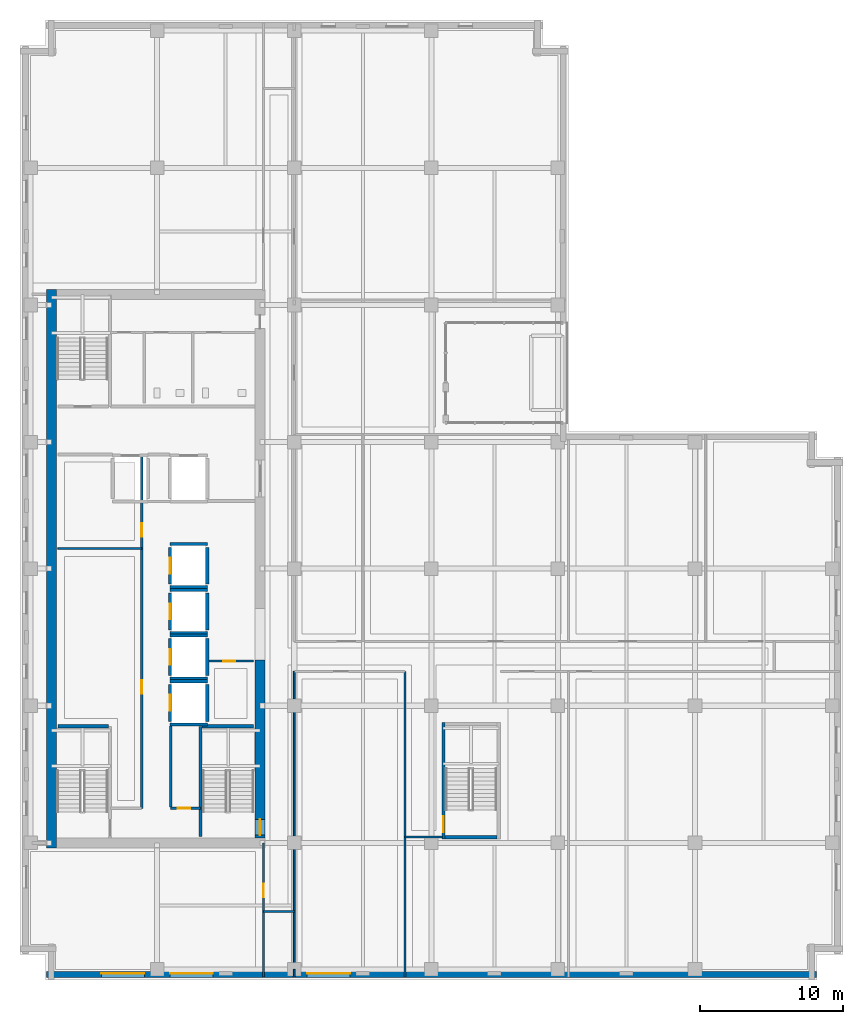
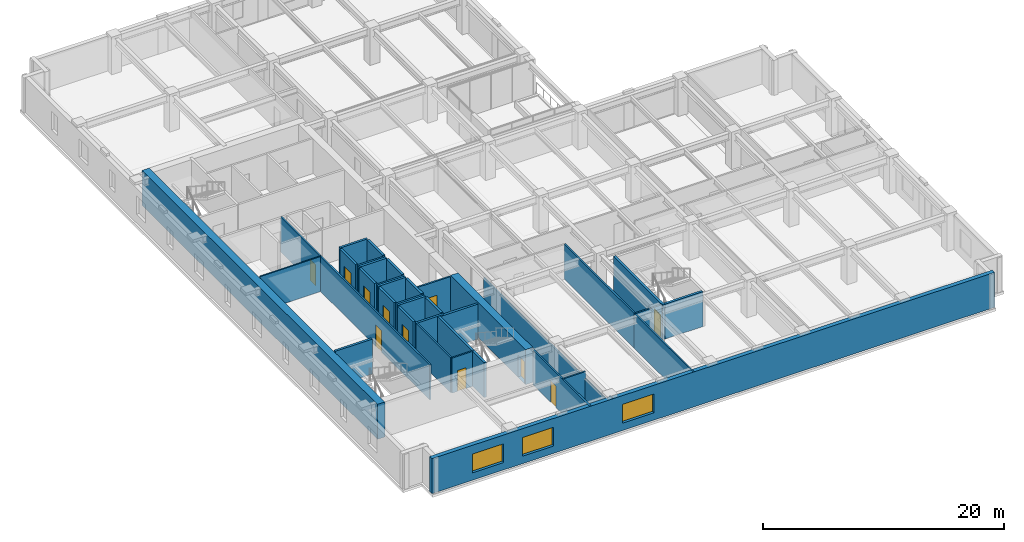
# One storey, part 4 of 16: 36 walls, 11 doors, 3 windows, 14 openings.
"""IFC4 building model written with IfcOpenShell, lengths in metres."""

from ifc_helpers import new_model, si_unit, direction, frame, frame_2d, origin, place, context, subcontext, project, spatial, rectangle, extrude, material, layer, layer_set, type_object, element, fill, save


model = new_model("IFC4")

# Units and contexts
model_context = context("Model", 3, precision=1e-05, world=origin(), true_north=direction((0.0, 1.0)))
body_context = subcontext(model_context, "Body", "Model", "MODEL_VIEW")
ifc_project = project(units=[si_unit("LENGTHUNIT", "METRE"), si_unit("AREAUNIT", "SQUARE_METRE"), si_unit("VOLUMEUNIT", "CUBIC_METRE"), si_unit("PLANEANGLEUNIT", "RADIAN"), si_unit("MASSUNIT", "GRAM", prefix="KILO")], contexts=[model_context])

# Site, building, storey
site_placement = place(None, origin())
site = spatial("IfcSite", under=ifc_project, at=site_placement, CompositionType="ELEMENT")
building_placement = place(site_placement, origin())
building = spatial("IfcBuilding", under=site, at=building_placement, Name="Norrvale University Quadrangle", CompositionType="ELEMENT")
storey_placement = place(building_placement, frame((0.0, 0.0, 167.39990234375)))
storey = spatial("IfcBuildingStorey", under=building, at=storey_placement, Name="L42", CompositionType="ELEMENT", Elevation=167.39990234375)

# Wall
ifc_material_1 = material(Name="Concrete C60/75", Category="concrete")
ifc_layer_1 = layer(ifc_material_1, 0.699951171875, Name="Concrete C60/75")
ifc_layer_set_1 = layer_set([ifc_layer_1], Name="Concrete C60/75")
wall_type_1 = type_object("IfcWallType", Name="Wall Core 700", PredefinedType="SHEAR", material=ifc_layer_set_1)
wall_1_placement = place(storey_placement, frame((2.199951171875, 9.25, 0.0), z_axis=(0.0, 0.0, 1.0), x_axis=(0.0, 1.0, 0.0)))
element("IfcWall", 1, at=wall_1_placement, inside=storey, type_object=wall_type_1, Name="Tower Core Shear Wall L42-W", PredefinedType="SHEAR", context=body_context, shape_type="SweptSolid", body=[
    extrude(rectangle(XDim=39.10009765625, YDim=0.699951171875, at=frame_2d((19.550048828125, 0.0))), origin(), (0.0, 0.0, 1.0), 3.5400390625),
])

# Wall, opening, door
wall_2_placement = place(storey_placement, frame((16.800048828125, 9.949951171875, 0.0), z_axis=(0.0, 0.0, 1.0), x_axis=(0.0, 1.0, 0.0)))
wall_2 = element("IfcWall", 2, at=wall_2_placement, inside=storey, type_object=wall_type_1, Name="Tower Core Shear Wall L42-E1", PredefinedType="SHEAR", context=body_context, shape_type="SweptSolid", body=[
    extrude(rectangle(XDim=12.449951171875, YDim=0.699951171875, at=frame_2d((6.22509765625, 0.0))), origin(), (0.0, 0.0, 1.0), 3.5400390625),
])
opening_1_placement = place(wall_2_placement, frame((0.18994140625, 0.0, 0.0)))
opening_1 = element("IfcOpeningElement", 3, at=opening_1_placement, cuts=wall_2, Name="Opening D02", PredefinedType="OPENING", context=body_context, shape_type="SweptSolid", body=[
    extrude(rectangle(XDim=1.10009765625, YDim=2.199951171875, at=frame_2d((0.550048828125, 1.10009765625))), frame((0.0, 0.362060546875, 0.0), z_axis=(0.0, -1.0, 0.0), x_axis=(1.0, 0.0, 0.0)), (0.0, 0.0, 1.0), 0.723876953125),
])
ifc_material_2 = material(Name="Hollow Steel 350W Fire Door", Category="steel")
door_type_1 = type_object("IfcDoorType", Name="Door Stair Exit 1100x2200", OperationType="NOTDEFINED", PredefinedType="DOOR", material=ifc_material_2)
door_1_placement = place(opening_1_placement, origin())
door_1 = element("IfcDoor", 4, at=door_1_placement, inside=storey, type_object=door_type_1, Name="Door Stair Exit 1100x2200 DR-L42-ST03", OperationType="SINGLE_SWING_LEFT", OverallHeight=2.199951171875, OverallWidth=1.10009765625, PredefinedType="DOOR", context=body_context, shape_type="SweptSolid", body=[
    extrude(rectangle(XDim=1.10009765625, YDim=2.199951171875, at=frame_2d((0.550048828125, 1.10009765625))), frame((0.0, 0.02490234375, 0.0), z_axis=(0.0, -1.0, 0.0), x_axis=(1.0, 0.0, 0.0)), (0.0, 0.0, 1.0), 0.050048828125),
])
fill(opening_1, door_1)

# Walls
ifc_material_3 = material(Name="Standard Academic Gypsum Partition")
ifc_layer_2 = layer(ifc_material_3, 0.125, Name="Standard Academic Gypsum Partition")
ifc_layer_set_2 = layer_set([ifc_layer_2], Name="Standard Academic Gypsum Partition")
wall_type_2 = type_object("IfcWallType", Name="Wall Gypsum Academic 125", PredefinedType="PARTITIONING", material=ifc_layer_set_2)
wall_3_placement = place(storey_placement, frame((2.64990234375, 30.199951171875, 0.0), z_axis=(0.0, 0.0, 1.0), x_axis=(1.0, 0.0, 0.0)))
element("IfcWall", 5, at=wall_3_placement, inside=storey, type_object=wall_type_2, Name="Interior Partition WL-L42-REC-M", PredefinedType="PARTITIONING", context=body_context, shape_type="SweptSolid", body=[
    extrude(rectangle(XDim=5.8701171875, YDim=0.125, at=frame_2d((2.93505859375, 0.0))), origin(), (0.0, 0.0, 1.0), 3.5400390625),
])
wall_4_placement = place(storey_placement, frame((19.199951171875, 0.219970703125, 0.0), z_axis=(0.0, 0.0, 1.0), x_axis=(0.0, 1.0, 0.0)))
element("IfcWall", 6, at=wall_4_placement, inside=storey, type_object=wall_type_2, Name="Interior Partition WL-L42-SE-W0", PredefinedType="PARTITIONING", context=body_context, shape_type="SweptSolid", body=[
    extrude(rectangle(XDim=0.530029296875, YDim=0.125, at=frame_2d((0.26513671875, 0.0))), origin(), (0.0, 0.0, 1.0), 3.5400390625),
])
wall_5_placement = place(storey_placement, frame((19.199951171875, 0.75, 0.0), z_axis=(0.0, 0.0, 1.0), x_axis=(0.0, 1.0, 0.0)))
element("IfcWall", 7, at=wall_5_placement, inside=storey, type_object=wall_type_2, Name="Interior Partition WL-L42-SE-W0-B2", PredefinedType="PARTITIONING", context=body_context, shape_type="SweptSolid", body=[
    extrude(rectangle(XDim=20.85009765625, YDim=0.125, at=frame_2d((10.425048828125, 0.0))), origin(), (0.0, 0.0, 1.0), 2.84521484375),
])
wall_6_placement = place(storey_placement, frame((26.949951171875, 0.219970703125, 0.0), z_axis=(0.0, 0.0, 1.0), x_axis=(0.0, 1.0, 0.0)))
element("IfcWall", 8, at=wall_6_placement, inside=storey, type_object=wall_type_2, Name="Interior Partition WL-L42-SEP1A", PredefinedType="PARTITIONING", context=body_context, shape_type="SweptSolid", body=[
    extrude(rectangle(XDim=9.780029296875, YDim=0.125, at=frame_2d((4.89013671875, 0.0))), origin(), (0.0, 0.0, 1.0), 3.5400390625),
])

# Wall, opening, door
ifc_material_4 = material(Name="Fire-Rated Gypsum Stud Partition")
ifc_layer_3 = layer(ifc_material_4, 0.14990234375, Name="Fire-Rated Gypsum Stud Partition")
ifc_layer_set_3 = layer_set([ifc_layer_3], Name="Fire-Rated Gypsum Stud Partition")
wall_type_3 = type_object("IfcWallType", Name="Wall Gypsum Corridor 150", PredefinedType="PARTITIONING", material=ifc_layer_set_3)
wall_7_placement = place(storey_placement, frame((10.550048828125, 12.02001953125, 0.0), z_axis=(0.0, 0.0, 1.0), x_axis=(1.0, 0.0, 0.0)))
wall_7 = element("IfcWall", 9, at=wall_7_placement, inside=storey, type_object=wall_type_3, Name="Interior Partition WL-L42-SC-NR", PredefinedType="PARTITIONING", context=body_context, shape_type="SweptSolid", body=[
    extrude(rectangle(XDim=2.079833984375, YDim=0.14990234375, at=frame_2d((1.0400390625, 0.0))), origin(), (0.0, 0.0, 1.0), 3.5400390625),
])
opening_2_placement = place(wall_7_placement, frame((0.5, 0.0, 0.0)))
opening_2 = element("IfcOpeningElement", 10, at=opening_2_placement, cuts=wall_7, Name="Opening D10", PredefinedType="OPENING", context=body_context, shape_type="SweptSolid", body=[
    extrude(rectangle(XDim=0.85009765625, YDim=2.10009765625, at=frame_2d((0.425048828125, 1.050048828125))), frame((0.0, 0.0869140625, 0.0), z_axis=(0.0, -1.0, 0.0), x_axis=(1.0, 0.0, 0.0)), (0.0, 0.0, 1.0), 0.173828125),
])
ifc_material_5 = material(Name="Hollow Steel 350W Riser Fire Door", Category="steel")
door_type_2 = type_object("IfcDoorType", Name="Door Riser 850x2100", OperationType="NOTDEFINED", PredefinedType="DOOR", material=ifc_material_5)
door_2_placement = place(opening_2_placement, origin())
door_2 = element("IfcDoor", 11, at=door_2_placement, inside=storey, type_object=door_type_2, Name="Door Riser 850x2100 DR-L42-IDF", OperationType="SINGLE_SWING_RIGHT", OverallHeight=2.10009765625, OverallWidth=0.85009765625, PredefinedType="DOOR", context=body_context, shape_type="SweptSolid", body=[
    extrude(rectangle(XDim=0.85009765625, YDim=2.10009765625, at=frame_2d((0.425048828125, 1.050048828125))), frame((0.0, 0.02490234375, 0.0), z_axis=(0.0, -1.0, 0.0), x_axis=(1.0, 0.0, 0.0)), (0.0, 0.0, 1.0), 0.050048828125),
])
fill(opening_2, door_2)

# Wall
wall_8_placement = place(storey_placement, frame((10.550048828125, 12.094970703125, 0.0), z_axis=(0.0, 0.0, 1.0), x_axis=(0.0, 1.0, 0.0)))
element("IfcWall", 12, at=wall_8_placement, inside=storey, type_object=wall_type_3, Name="Interior Partition WL-L42-SC-WR", PredefinedType="PARTITIONING", context=body_context, shape_type="SweptSolid", body=[
    extrude(rectangle(XDim=5.679931640625, YDim=0.14990234375, at=frame_2d((2.83984375, 0.0))), origin(), (0.0, 0.0, 1.0), 3.5400390625),
])

# Wall, opening, door
wall_9_placement = place(storey_placement, frame((13.22509765625, 22.320068359375, 0.0), z_axis=(0.0, 0.0, 1.0), x_axis=(1.0, 0.0, 0.0)))
wall_9 = element("IfcWall", 13, at=wall_9_placement, inside=storey, type_object=wall_type_3, Name="Interior Partition WL-L42-JAN-N", PredefinedType="PARTITIONING", context=body_context, shape_type="SweptSolid", body=[
    extrude(rectangle(XDim=3.119873046875, YDim=0.14990234375, at=frame_2d((1.56005859375, 0.0))), origin(), (0.0, 0.0, 1.0), 3.5400390625),
])
opening_3_placement = place(wall_9_placement, frame((1.0, 0.0, 0.0)))
opening_3 = element("IfcOpeningElement", 14, at=opening_3_placement, cuts=wall_9, Name="Opening D10", PredefinedType="OPENING", context=body_context, shape_type="SweptSolid", body=[
    extrude(rectangle(XDim=0.85009765625, YDim=2.10009765625, at=frame_2d((0.425048828125, 1.050048828125))), frame((0.0, 0.0869140625, 0.0), z_axis=(0.0, -1.0, 0.0), x_axis=(1.0, 0.0, 0.0)), (0.0, 0.0, 1.0), 0.173828125),
])
door_3_placement = place(opening_3_placement, origin())
door_3 = element("IfcDoor", 15, at=door_3_placement, inside=storey, type_object=door_type_2, Name="Door Riser 850x2100 DR-L42-JAN", OperationType="SINGLE_SWING_LEFT", OverallHeight=2.10009765625, OverallWidth=0.85009765625, PredefinedType="DOOR", context=body_context, shape_type="SweptSolid", body=[
    extrude(rectangle(XDim=0.85009765625, YDim=2.10009765625, at=frame_2d((0.425048828125, 1.050048828125))), frame((0.0, 0.02490234375, 0.0), z_axis=(0.0, -1.0, 0.0), x_axis=(1.0, 0.0, 0.0)), (0.0, 0.0, 1.0), 0.050048828125),
])
fill(opening_3, door_3)

# Wall, openings, doors
wall_10_placement = place(storey_placement, frame((8.52001953125, 12.02001953125, 0.0), z_axis=(0.0, 0.0, 1.0), x_axis=(0.0, 1.0, 0.0)))
wall_10 = element("IfcWall", 16, at=wall_10_placement, inside=storey, type_object=wall_type_3, Name="Interior Partition WL-L42-REC-E", PredefinedType="PARTITIONING", context=body_context, shape_type="SweptSolid", body=[
    extrude(rectangle(XDim=24.760009765625, YDim=0.14990234375, at=frame_2d((12.3798828125, 0.0))), origin(), (0.0, 0.0, 1.0), 3.5400390625),
])
opening_4_placement = place(wall_10_placement, frame((8.0, 0.0, 0.0)))
opening_4 = element("IfcOpeningElement", 17, at=opening_4_placement, cuts=wall_10, Name="Opening D07", PredefinedType="OPENING", context=body_context, shape_type="SweptSolid", body=[
    extrude(rectangle(XDim=0.949951171875, YDim=2.14990234375, at=frame_2d((0.47509765625, 1.074951171875))), frame((0.0, 0.0869140625, 0.0), z_axis=(0.0, -1.0, 0.0), x_axis=(1.0, 0.0, 0.0)), (0.0, 0.0, 1.0), 0.173828125),
])
opening_5_placement = place(wall_10_placement, frame((19.0, 0.0, 0.0)))
opening_5 = element("IfcOpeningElement", 18, at=opening_5_placement, cuts=wall_10, Name="Opening D07", PredefinedType="OPENING", context=body_context, shape_type="SweptSolid", body=[
    extrude(rectangle(XDim=0.949951171875, YDim=2.14990234375, at=frame_2d((0.47509765625, 1.074951171875))), frame((0.0, 0.0869140625, 0.0), z_axis=(0.0, -1.0, 0.0), x_axis=(1.0, 0.0, 0.0)), (0.0, 0.0, 1.0), 0.173828125),
])
ifc_material_6 = material(Name="Solid-Core Maple Door", Category="wood")
door_type_3 = type_object("IfcDoorType", Name="Door Office 950x2150", OperationType="NOTDEFINED", PredefinedType="DOOR", material=ifc_material_6)
door_4_placement = place(opening_4_placement, origin())
door_4 = element("IfcDoor", 19, at=door_4_placement, inside=storey, type_object=door_type_3, Name="Door Office 950x2150 DR-L42-REC1", OperationType="SINGLE_SWING_LEFT", OverallHeight=2.14990234375, OverallWidth=0.949951171875, PredefinedType="DOOR", context=body_context, shape_type="SweptSolid", body=[
    extrude(rectangle(XDim=0.949951171875, YDim=2.14990234375, at=frame_2d((0.47509765625, 1.074951171875))), frame((0.0, 0.02490234375, 0.0), z_axis=(0.0, -1.0, 0.0), x_axis=(1.0, 0.0, 0.0)), (0.0, 0.0, 1.0), 0.050048828125),
])
fill(opening_4, door_4)
door_5_placement = place(opening_5_placement, origin())
door_5 = element("IfcDoor", 20, at=door_5_placement, inside=storey, type_object=door_type_3, Name="Door Office 950x2150 DR-L42-REC2", OperationType="SINGLE_SWING_RIGHT", OverallHeight=2.14990234375, OverallWidth=0.949951171875, PredefinedType="DOOR", context=body_context, shape_type="SweptSolid", body=[
    extrude(rectangle(XDim=0.949951171875, YDim=2.14990234375, at=frame_2d((0.47509765625, 1.074951171875))), frame((0.0, 0.02490234375, 0.0), z_axis=(0.0, -1.0, 0.0), x_axis=(1.0, 0.0, 0.0)), (0.0, 0.0, 1.0), 0.050048828125),
])
fill(opening_5, door_5)

# Wall
wall_11_placement = place(storey_placement, frame((17.050048828125, 4.800048828125, 0.0), z_axis=(0.0, 0.0, 1.0), x_axis=(1.0, 0.0, 0.0)))
element("IfcWall", 21, at=wall_11_placement, inside=storey, type_object=wall_type_3, Name="Interior Partition WL-L42-CSP-S", PredefinedType="PARTITIONING", context=body_context, shape_type="SweptSolid", body=[
    extrude(rectangle(XDim=2.14990234375, YDim=0.14990234375, at=frame_2d((1.074951171875, 0.0))), origin(), (0.0, 0.0, 1.0), 3.5400390625),
])

# Wall, opening, door
wall_12_placement = place(storey_placement, frame((17.050048828125, 0.219970703125, 0.0), z_axis=(0.0, 0.0, 1.0), x_axis=(0.0, 1.0, 0.0)))
wall_12 = element("IfcWall", 22, at=wall_12_placement, inside=storey, type_object=wall_type_3, Name="Interior Partition WL-L42-SW-E", PredefinedType="PARTITIONING", context=body_context, shape_type="SweptSolid", body=[
    extrude(rectangle(XDim=9.380126953125, YDim=0.14990234375, at=frame_2d((4.68994140625, 0.0))), origin(), (0.0, 0.0, 1.0), 3.5400390625),
])
opening_6_placement = place(wall_12_placement, frame((5.580078125, 0.0, 0.0)))
opening_6 = element("IfcOpeningElement", 23, at=opening_6_placement, cuts=wall_12, Name="Opening D07", PredefinedType="OPENING", context=body_context, shape_type="SweptSolid", body=[
    extrude(rectangle(XDim=0.949951171875, YDim=2.14990234375, at=frame_2d((0.47509765625, 1.074951171875))), frame((0.0, 0.0869140625, 0.0), z_axis=(0.0, -1.0, 0.0), x_axis=(1.0, 0.0, 0.0)), (0.0, 0.0, 1.0), 0.173828125),
])
door_6_placement = place(opening_6_placement, origin())
door_6 = element("IfcDoor", 24, at=door_6_placement, inside=storey, type_object=door_type_3, Name="Door Office 950x2150 DR-L42-SW1", OperationType="SINGLE_SWING_LEFT", OverallHeight=2.14990234375, OverallWidth=0.949951171875, PredefinedType="DOOR", context=body_context, shape_type="SweptSolid", body=[
    extrude(rectangle(XDim=0.949951171875, YDim=2.14990234375, at=frame_2d((0.47509765625, 1.074951171875))), frame((0.0, 0.02490234375, 0.0), z_axis=(0.0, -1.0, 0.0), x_axis=(1.0, 0.0, 0.0)), (0.0, 0.0, 1.0), 0.050048828125),
])
fill(opening_6, door_6)

# Walls
wall_13_placement = place(storey_placement, frame((26.949951171875, 10.0, 0.0), z_axis=(0.0, 0.0, 1.0), x_axis=(0.0, 1.0, 0.0)))
element("IfcWall", 25, at=wall_13_placement, inside=storey, type_object=wall_type_3, Name="Interior Partition WL-L42-SEP1B", PredefinedType="PARTITIONING", context=body_context, shape_type="SweptSolid", body=[
    extrude(rectangle(XDim=11.60009765625, YDim=0.14990234375, at=frame_2d((5.800048828125, 0.0))), origin(), (0.0, 0.0, 1.0), 3.5400390625),
])
wall_14_placement = place(storey_placement, frame((26.949951171875, 10.0, 0.0), z_axis=(0.0, 0.0, 1.0), x_axis=(1.0, 0.0, 0.0)))
element("IfcWall", 26, at=wall_14_placement, inside=storey, type_object=wall_type_3, Name="Interior Partition WL-L42-SEP1C", PredefinedType="PARTITIONING", context=body_context, shape_type="SweptSolid", body=[
    extrude(rectangle(XDim=2.630126953125, YDim=0.14990234375, at=frame_2d((1.31494140625, 0.0))), origin(), (0.0, 0.0, 1.0), 3.5400390625),
])

# Wall, openings, windows
ifc_material_7 = material(Name="Red Manganese Brick Masonry", Category="masonry")
ifc_layer_4 = layer(ifc_material_7, 0.39990234375, Name="Red Manganese Brick Masonry")
ifc_layer_set_4 = layer_set([ifc_layer_4], Name="Red Manganese Brick Masonry")
wall_type_4 = type_object("IfcWallType", Name="Wall Red Brick 400", PredefinedType="SOLIDWALL", material=ifc_layer_set_4)
wall_15_placement = place(storey_placement, frame((1.840087890625, 0.3798828125, 0.0), z_axis=(0.0, 0.0, 1.0), x_axis=(1.0, 0.0, 0.0)))
wall_15 = element("IfcWall", 27, at=wall_15_placement, inside=storey, type_object=wall_type_4, Name="Exterior Brick Facade Wall L42-01.1", PredefinedType="SOLIDWALL", context=body_context, shape_type="SweptSolid", body=[
    extrude(rectangle(XDim=53.919921875, YDim=0.39990234375, at=frame_2d((26.9599609375, 0.0))), origin(), (0.0, 0.0, 1.0), 3.5400390625),
])
opening_7_placement = place(wall_15_placement, frame((3.860107421875, 0.0, 0.75)))
opening_7 = element("IfcOpeningElement", 28, at=opening_7_placement, cuts=wall_15, Name="Opening W08", PredefinedType="OPENING", context=body_context, shape_type="SweptSolid", body=[
    extrude(rectangle(XDim=3.0, YDim=1.89990234375, at=frame_2d((1.5, 0.949951171875))), frame((0.0, 0.2119140625, 0.0), z_axis=(0.0, -1.0, 0.0), x_axis=(1.0, 0.0, 0.0)), (0.0, 0.0, 1.0), 0.423828125),
])
opening_8_placement = place(wall_15_placement, frame((8.659912109375, 0.0, 0.75)))
opening_8 = element("IfcOpeningElement", 29, at=opening_8_placement, cuts=wall_15, Name="Opening W08", PredefinedType="OPENING", context=body_context, shape_type="SweptSolid", body=[
    extrude(rectangle(XDim=3.0, YDim=1.89990234375, at=frame_2d((1.5, 0.949951171875))), frame((0.0, 0.2119140625, 0.0), z_axis=(0.0, -1.0, 0.0), x_axis=(1.0, 0.0, 0.0)), (0.0, 0.0, 1.0), 0.423828125),
])
opening_9_placement = place(wall_15_placement, frame((18.260009765625, 0.0, 0.75)))
opening_9 = element("IfcOpeningElement", 30, at=opening_9_placement, cuts=wall_15, Name="Opening W08", PredefinedType="OPENING", context=body_context, shape_type="SweptSolid", body=[
    extrude(rectangle(XDim=3.0, YDim=1.89990234375, at=frame_2d((1.5, 0.949951171875))), frame((0.0, 0.2119140625, 0.0), z_axis=(0.0, -1.0, 0.0), x_axis=(1.0, 0.0, 0.0)), (0.0, 0.0, 1.0), 0.423828125),
])
ifc_material_8 = material(Name="Triple Low-E Argon Glazing", Category="glass")
window_type = type_object("IfcWindowType", Name="Window Lounge 3000x2500", PartitioningType="TRIPLE_PANEL_VERTICAL", PredefinedType="WINDOW", material=ifc_material_8)
window_1_placement = place(opening_7_placement, origin())
window_1 = element("IfcWindow", 31, at=window_1_placement, inside=storey, type_object=window_type, Name="Window Lounge 3000x2500 WIN-L42-E01-1-01", OverallHeight=1.89990234375, OverallWidth=3.0, PartitioningType="TRIPLE_PANEL_VERTICAL", PredefinedType="WINDOW", context=body_context, shape_type="SweptSolid", body=[
    extrude(rectangle(XDim=3.0, YDim=1.89990234375, at=frame_2d((1.5, 0.949951171875))), frame((0.0, 0.110107421875, 0.0), z_axis=(0.0, -1.0, 0.0), x_axis=(1.0, 0.0, 0.0)), (0.0, 0.0, 1.0), 0.06005859375),
])
fill(opening_7, window_1)
window_2_placement = place(opening_8_placement, origin())
window_2 = element("IfcWindow", 32, at=window_2_placement, inside=storey, type_object=window_type, Name="Window Lounge 3000x2500 WIN-L42-E01-1-02", OverallHeight=1.89990234375, OverallWidth=3.0, PartitioningType="TRIPLE_PANEL_VERTICAL", PredefinedType="WINDOW", context=body_context, shape_type="SweptSolid", body=[
    extrude(rectangle(XDim=3.0, YDim=1.89990234375, at=frame_2d((1.5, 0.949951171875))), frame((0.0, 0.110107421875, 0.0), z_axis=(0.0, -1.0, 0.0), x_axis=(1.0, 0.0, 0.0)), (0.0, 0.0, 1.0), 0.06005859375),
])
fill(opening_8, window_2)
window_3_placement = place(opening_9_placement, origin())
window_3 = element("IfcWindow", 33, at=window_3_placement, inside=storey, type_object=window_type, Name="Window Lounge 3000x2500 WIN-L42-E01-1-03", OverallHeight=1.89990234375, OverallWidth=3.0, PartitioningType="TRIPLE_PANEL_VERTICAL", PredefinedType="WINDOW", context=body_context, shape_type="SweptSolid", body=[
    extrude(rectangle(XDim=3.0, YDim=1.89990234375, at=frame_2d((1.5, 0.949951171875))), frame((0.0, 0.110107421875, 0.0), z_axis=(0.0, -1.0, 0.0), x_axis=(1.0, 0.0, 0.0)), (0.0, 0.0, 1.0), 0.06005859375),
])
fill(opening_9, window_3)

# Walls
ifc_material_9 = material(Name="Concrete Blockwork 20 MPa Fire Shaft", Category="masonry")
ifc_layer_5 = layer(ifc_material_9, 0.219970703125, Name="Concrete Blockwork 20 MPa Fire Shaft")
ifc_layer_set_5 = layer_set([ifc_layer_5], Name="Concrete Blockwork 20 MPa Fire Shaft")
wall_type_5 = type_object("IfcWallType", Name="Wall Shaft 220", PredefinedType="SOLIDWALL", material=ifc_layer_set_5)
wall_16_placement = place(storey_placement, frame((2.64990234375, 17.760009765625, 0.0), z_axis=(0.0, 0.0, 1.0), x_axis=(1.0, 0.0, 0.0)))
element("IfcWall", 34, at=wall_16_placement, inside=storey, type_object=wall_type_5, Name="Stair ST-01 North Shaft Wall L42", PredefinedType="SOLIDWALL", context=body_context, shape_type="SweptSolid", body=[
    extrude(rectangle(XDim=3.550048828125, YDim=0.219970703125, at=frame_2d((1.77490234375, 0.0))), origin(), (0.0, 0.0, 1.0), 3.5400390625),
])
wall_17_placement = place(storey_placement, frame((12.639892578125, 10.050048828125, 0.0), z_axis=(0.0, 0.0, 1.0), x_axis=(0.0, 1.0, 0.0)))
element("IfcWall", 35, at=wall_17_placement, inside=storey, type_object=wall_type_5, Name="Stair ST-03 West Shaft Wall L42", PredefinedType="SOLIDWALL", context=body_context, shape_type="SweptSolid", body=[
    extrude(rectangle(XDim=7.7099609375, YDim=0.219970703125, at=frame_2d((3.85498046875, 0.0))), origin(), (0.0, 0.0, 1.0), 3.5400390625),
])
wall_18_placement = place(storey_placement, frame((12.75, 17.760009765625, 0.0), z_axis=(0.0, 0.0, 1.0), x_axis=(1.0, 0.0, 0.0)))
element("IfcWall", 36, at=wall_18_placement, inside=storey, type_object=wall_type_5, Name="Stair ST-03 North Shaft Wall L42", PredefinedType="SOLIDWALL", context=body_context, shape_type="SweptSolid", body=[
    extrude(rectangle(XDim=3.60009765625, YDim=0.219970703125, at=frame_2d((1.800048828125, 0.0))), origin(), (0.0, 0.0, 1.0), 3.5400390625),
])
wall_19_placement = place(storey_placement, frame((29.75, 9.989990234375, 0.0), z_axis=(0.0, 0.0, 1.0), x_axis=(1.0, 0.0, 0.0)))
element("IfcWall", 37, at=wall_19_placement, inside=storey, type_object=wall_type_5, Name="Stair ST-04 South Shaft Wall L42", PredefinedType="SOLIDWALL", context=body_context, shape_type="SweptSolid", body=[
    extrude(rectangle(XDim=3.64990234375, YDim=0.219970703125, at=frame_2d((1.824951171875, 0.0))), origin(), (0.0, 0.0, 1.0), 3.5400390625),
])

# Wall, opening, door
wall_20_placement = place(storey_placement, frame((29.639892578125, 9.8798828125, 0.0), z_axis=(0.0, 0.0, 1.0), x_axis=(0.0, 1.0, 0.0)))
wall_20 = element("IfcWall", 38, at=wall_20_placement, inside=storey, type_object=wall_type_5, Name="Stair ST-04 West Shaft Wall L42", PredefinedType="SOLIDWALL", context=body_context, shape_type="SweptSolid", body=[
    extrude(rectangle(XDim=8.14013671875, YDim=0.219970703125, at=frame_2d((4.070068359375, 0.0))), origin(), (0.0, 0.0, 1.0), 3.5400390625),
])
opening_10_placement = place(wall_20_placement, frame((0.469970703125, 0.0, 0.0)))
opening_10 = element("IfcOpeningElement", 39, at=opening_10_placement, cuts=wall_20, Name="Opening D02", PredefinedType="OPENING", context=body_context, shape_type="SweptSolid", body=[
    extrude(rectangle(XDim=1.10009765625, YDim=2.199951171875, at=frame_2d((0.550048828125, 1.10009765625))), frame((0.0, 0.1220703125, 0.0), z_axis=(0.0, -1.0, 0.0), x_axis=(1.0, 0.0, 0.0)), (0.0, 0.0, 1.0), 0.243896484375),
])
door_7_placement = place(opening_10_placement, frame((1.10009765625, 0.0, 0.0), z_axis=(0.0, 0.0, 1.0), x_axis=(-1.0, 0.0, 0.0)))
door_7 = element("IfcDoor", 40, at=door_7_placement, inside=storey, type_object=door_type_1, Name="Door Stair Exit 1100x2200 DR-L42-ST04", OperationType="SINGLE_SWING_RIGHT", OverallHeight=2.199951171875, OverallWidth=1.10009765625, PredefinedType="DOOR", context=body_context, shape_type="SweptSolid", body=[
    extrude(rectangle(XDim=1.10009765625, YDim=2.199951171875, at=frame_2d((0.550048828125, 1.10009765625))), frame((0.0, 0.02490234375, 0.0), z_axis=(0.0, -1.0, 0.0), x_axis=(1.0, 0.0, 0.0)), (0.0, 0.0, 1.0), 0.050048828125),
])
fill(opening_10, door_7)

wall_21_placement = place(storey_placement, frame((10.489990234375, 18.110107421875, 0.0), z_axis=(0.0, 0.0, 1.0), x_axis=(0.0, 1.0, 0.0)))
wall_21 = element("IfcWall", 41, at=wall_21_placement, inside=storey, type_object=wall_type_5, Name="Hoistway PL-05 West Wall L42", PredefinedType="SOLIDWALL", context=body_context, shape_type="SweptSolid", body=[
    extrude(rectangle(XDim=2.579833984375, YDim=0.219970703125, at=frame_2d((1.2900390625, 0.0))), origin(), (0.0, 0.0, 1.0), 3.5400390625),
])
opening_11_placement = place(wall_21_placement, frame((0.739990234375, 0.0, 0.0)))
opening_11 = element("IfcOpeningElement", 42, at=opening_11_placement, cuts=wall_21, Name="Opening LD1", PredefinedType="OPENING", context=body_context, shape_type="SweptSolid", body=[
    extrude(rectangle(XDim=1.10009765625, YDim=2.199951171875, at=frame_2d((0.550048828125, 1.10009765625))), frame((0.0, 0.1220703125, 0.0), z_axis=(0.0, -1.0, 0.0), x_axis=(1.0, 0.0, 0.0)), (0.0, 0.0, 1.0), 0.243896484375),
])
ifc_material_10 = material(Name="Stainless Steel 316L Lift Landing Door", Category="steel")
door_type_4 = type_object("IfcDoorType", Name="Door Lift Landing 1100x2200", OperationType="DOUBLE_DOOR_SLIDING", PredefinedType="DOOR", material=ifc_material_10)
door_8_placement = place(opening_11_placement, origin())
door_8 = element("IfcDoor", 43, at=door_8_placement, inside=storey, type_object=door_type_4, Name="Elevator Landing Door DR-L42-PL-05", OperationType="DOUBLE_DOOR_SLIDING", OverallHeight=2.199951171875, OverallWidth=1.10009765625, PredefinedType="DOOR", context=body_context, shape_type="SweptSolid", body=[
    extrude(rectangle(XDim=1.10009765625, YDim=2.199951171875, at=frame_2d((0.550048828125, 1.10009765625))), frame((0.0, 0.02490234375, 0.0), z_axis=(0.0, -1.0, 0.0), x_axis=(1.0, 0.0, 0.0)), (0.0, 0.0, 1.0), 0.050048828125),
])
fill(opening_11, door_8)

# Walls
wall_22_placement = place(storey_placement, frame((13.110107421875, 18.110107421875, 0.0), z_axis=(0.0, 0.0, 1.0), x_axis=(0.0, 1.0, 0.0)))
element("IfcWall", 44, at=wall_22_placement, inside=storey, type_object=wall_type_5, Name="Hoistway PL-05 East Wall L42", PredefinedType="SOLIDWALL", context=body_context, shape_type="SweptSolid", body=[
    extrude(rectangle(XDim=2.579833984375, YDim=0.219970703125, at=frame_2d((1.2900390625, 0.0))), origin(), (0.0, 0.0, 1.0), 3.5400390625),
])
for number, where, z_axis, x_axis, name in (
    (45, (10.489990234375, 17.889892578125, 0.0), (0.0, 0.0, 1.0), (1.0, 0.0, 0.0), "Hoistway PL-05 South Wall L42"),
    (46, (10.489990234375, 20.909912109375, 0.0), (0.0, 0.0, 1.0), (1.0, 0.0, 0.0), "Hoistway PL-05 North Wall L42"),
):
    element("IfcWall", number, at=place(storey_placement, frame(where, z_axis=z_axis, x_axis=x_axis)), inside=storey, type_object=wall_type_5, Name=name, PredefinedType="SOLIDWALL", context=body_context, shape_type="SweptSolid", body=[
        extrude(rectangle(XDim=2.6201171875, YDim=0.219970703125, at=frame_2d((1.31005859375, 0.0))), origin(), (0.0, 0.0, 1.0), 3.5400390625),
    ])

# Wall, opening, door
wall_23_placement = place(storey_placement, frame((10.489990234375, 21.31005859375, 0.0), z_axis=(0.0, 0.0, 1.0), x_axis=(0.0, 1.0, 0.0)))
wall_23 = element("IfcWall", 47, at=wall_23_placement, inside=storey, type_object=wall_type_5, Name="Hoistway PL-06 West Wall L42", PredefinedType="SOLIDWALL", context=body_context, shape_type="SweptSolid", body=[
    extrude(rectangle(XDim=2.579833984375, YDim=0.219970703125, at=frame_2d((1.2900390625, 0.0))), origin(), (0.0, 0.0, 1.0), 3.5400390625),
])
opening_12_placement = place(wall_23_placement, frame((0.739990234375, 0.0, 0.0)))
opening_12 = element("IfcOpeningElement", 48, at=opening_12_placement, cuts=wall_23, Name="Opening LD1", PredefinedType="OPENING", context=body_context, shape_type="SweptSolid", body=[
    extrude(rectangle(XDim=1.10009765625, YDim=2.199951171875, at=frame_2d((0.550048828125, 1.10009765625))), frame((0.0, 0.1220703125, 0.0), z_axis=(0.0, -1.0, 0.0), x_axis=(1.0, 0.0, 0.0)), (0.0, 0.0, 1.0), 0.243896484375),
])
door_9_placement = place(opening_12_placement, origin())
door_9 = element("IfcDoor", 49, at=door_9_placement, inside=storey, type_object=door_type_4, Name="Elevator Landing Door DR-L42-PL-06", OperationType="DOUBLE_DOOR_SLIDING", OverallHeight=2.199951171875, OverallWidth=1.10009765625, PredefinedType="DOOR", context=body_context, shape_type="SweptSolid", body=[
    extrude(rectangle(XDim=1.10009765625, YDim=2.199951171875, at=frame_2d((0.550048828125, 1.10009765625))), frame((0.0, 0.02490234375, 0.0), z_axis=(0.0, -1.0, 0.0), x_axis=(1.0, 0.0, 0.0)), (0.0, 0.0, 1.0), 0.050048828125),
])
fill(opening_12, door_9)

# Walls
wall_24_placement = place(storey_placement, frame((13.110107421875, 21.31005859375, 0.0), z_axis=(0.0, 0.0, 1.0), x_axis=(0.0, 1.0, 0.0)))
element("IfcWall", 50, at=wall_24_placement, inside=storey, type_object=wall_type_5, Name="Hoistway PL-06 East Wall L42", PredefinedType="SOLIDWALL", context=body_context, shape_type="SweptSolid", body=[
    extrude(rectangle(XDim=2.579833984375, YDim=0.219970703125, at=frame_2d((1.2900390625, 0.0))), origin(), (0.0, 0.0, 1.0), 3.5400390625),
])
for number, where, z_axis, x_axis, name in (
    (51, (10.489990234375, 21.090087890625, 0.0), (0.0, 0.0, 1.0), (1.0, 0.0, 0.0), "Hoistway PL-06 South Wall L42"),
    (52, (10.489990234375, 24.110107421875, 0.0), (0.0, 0.0, 1.0), (1.0, 0.0, 0.0), "Hoistway PL-06 North Wall L42"),
):
    element("IfcWall", number, at=place(storey_placement, frame(where, z_axis=z_axis, x_axis=x_axis)), inside=storey, type_object=wall_type_5, Name=name, PredefinedType="SOLIDWALL", context=body_context, shape_type="SweptSolid", body=[
        extrude(rectangle(XDim=2.6201171875, YDim=0.219970703125, at=frame_2d((1.31005859375, 0.0))), origin(), (0.0, 0.0, 1.0), 3.5400390625),
    ])

# Wall, opening, door
wall_25_placement = place(storey_placement, frame((10.489990234375, 24.510009765625, 0.0), z_axis=(0.0, 0.0, 1.0), x_axis=(0.0, 1.0, 0.0)))
wall_25 = element("IfcWall", 53, at=wall_25_placement, inside=storey, type_object=wall_type_5, Name="Hoistway PL-07 West Wall L42", PredefinedType="SOLIDWALL", context=body_context, shape_type="SweptSolid", body=[
    extrude(rectangle(XDim=2.580078125, YDim=0.219970703125, at=frame_2d((1.2900390625, 0.0))), origin(), (0.0, 0.0, 1.0), 3.5400390625),
])
opening_13_placement = place(wall_25_placement, frame((0.739990234375, 0.0, 0.0)))
opening_13 = element("IfcOpeningElement", 54, at=opening_13_placement, cuts=wall_25, Name="Opening LD1", PredefinedType="OPENING", context=body_context, shape_type="SweptSolid", body=[
    extrude(rectangle(XDim=1.10009765625, YDim=2.199951171875, at=frame_2d((0.550048828125, 1.10009765625))), frame((0.0, 0.1220703125, 0.0), z_axis=(0.0, -1.0, 0.0), x_axis=(1.0, 0.0, 0.0)), (0.0, 0.0, 1.0), 0.243896484375),
])
door_10_placement = place(opening_13_placement, origin())
door_10 = element("IfcDoor", 55, at=door_10_placement, inside=storey, type_object=door_type_4, Name="Elevator Landing Door DR-L42-PL-07", OperationType="DOUBLE_DOOR_SLIDING", OverallHeight=2.199951171875, OverallWidth=1.10009765625, PredefinedType="DOOR", context=body_context, shape_type="SweptSolid", body=[
    extrude(rectangle(XDim=1.10009765625, YDim=2.199951171875, at=frame_2d((0.550048828125, 1.10009765625))), frame((0.0, 0.02490234375, 0.0), z_axis=(0.0, -1.0, 0.0), x_axis=(1.0, 0.0, 0.0)), (0.0, 0.0, 1.0), 0.050048828125),
])
fill(opening_13, door_10)

# Walls
wall_26_placement = place(storey_placement, frame((13.110107421875, 24.510009765625, 0.0), z_axis=(0.0, 0.0, 1.0), x_axis=(0.0, 1.0, 0.0)))
element("IfcWall", 56, at=wall_26_placement, inside=storey, type_object=wall_type_5, Name="Hoistway PL-07 East Wall L42", PredefinedType="SOLIDWALL", context=body_context, shape_type="SweptSolid", body=[
    extrude(rectangle(XDim=2.580078125, YDim=0.219970703125, at=frame_2d((1.2900390625, 0.0))), origin(), (0.0, 0.0, 1.0), 3.5400390625),
])
for number, where, z_axis, x_axis, name in (
    (57, (10.489990234375, 24.2900390625, 0.0), (0.0, 0.0, 1.0), (1.0, 0.0, 0.0), "Hoistway PL-07 South Wall L42"),
    (58, (10.489990234375, 27.31005859375, 0.0), (0.0, 0.0, 1.0), (1.0, 0.0, 0.0), "Hoistway PL-07 North Wall L42"),
):
    element("IfcWall", number, at=place(storey_placement, frame(where, z_axis=z_axis, x_axis=x_axis)), inside=storey, type_object=wall_type_5, Name=name, PredefinedType="SOLIDWALL", context=body_context, shape_type="SweptSolid", body=[
        extrude(rectangle(XDim=2.6201171875, YDim=0.219970703125, at=frame_2d((1.31005859375, 0.0))), origin(), (0.0, 0.0, 1.0), 3.5400390625),
    ])

# Wall, opening, door
wall_27_placement = place(storey_placement, frame((10.489990234375, 27.7099609375, 0.0), z_axis=(0.0, 0.0, 1.0), x_axis=(0.0, 1.0, 0.0)))
wall_27 = element("IfcWall", 59, at=wall_27_placement, inside=storey, type_object=wall_type_5, Name="Hoistway PL-08 West Wall L42", PredefinedType="SOLIDWALL", context=body_context, shape_type="SweptSolid", body=[
    extrude(rectangle(XDim=2.580078125, YDim=0.219970703125, at=frame_2d((1.2900390625, 0.0))), origin(), (0.0, 0.0, 1.0), 3.5400390625),
])
opening_14_placement = place(wall_27_placement, frame((0.739990234375, 0.0, 0.0)))
opening_14 = element("IfcOpeningElement", 60, at=opening_14_placement, cuts=wall_27, Name="Opening LD1", PredefinedType="OPENING", context=body_context, shape_type="SweptSolid", body=[
    extrude(rectangle(XDim=1.10009765625, YDim=2.199951171875, at=frame_2d((0.550048828125, 1.10009765625))), frame((0.0, 0.1220703125, 0.0), z_axis=(0.0, -1.0, 0.0), x_axis=(1.0, 0.0, 0.0)), (0.0, 0.0, 1.0), 0.243896484375),
])
door_11_placement = place(opening_14_placement, origin())
door_11 = element("IfcDoor", 61, at=door_11_placement, inside=storey, type_object=door_type_4, Name="Elevator Landing Door DR-L42-PL-08", OperationType="DOUBLE_DOOR_SLIDING", OverallHeight=2.199951171875, OverallWidth=1.10009765625, PredefinedType="DOOR", context=body_context, shape_type="SweptSolid", body=[
    extrude(rectangle(XDim=1.10009765625, YDim=2.199951171875, at=frame_2d((0.550048828125, 1.10009765625))), frame((0.0, 0.02490234375, 0.0), z_axis=(0.0, -1.0, 0.0), x_axis=(1.0, 0.0, 0.0)), (0.0, 0.0, 1.0), 0.050048828125),
])
fill(opening_14, door_11)

# Walls
wall_28_placement = place(storey_placement, frame((13.110107421875, 27.7099609375, 0.0), z_axis=(0.0, 0.0, 1.0), x_axis=(0.0, 1.0, 0.0)))
element("IfcWall", 62, at=wall_28_placement, inside=storey, type_object=wall_type_5, Name="Hoistway PL-08 East Wall L42", PredefinedType="SOLIDWALL", context=body_context, shape_type="SweptSolid", body=[
    extrude(rectangle(XDim=2.580078125, YDim=0.219970703125, at=frame_2d((1.2900390625, 0.0))), origin(), (0.0, 0.0, 1.0), 3.5400390625),
])
for number, where, z_axis, x_axis, name in (
    (63, (10.489990234375, 27.489990234375, 0.0), (0.0, 0.0, 1.0), (1.0, 0.0, 0.0), "Hoistway PL-08 South Wall L42"),
    (64, (10.489990234375, 30.510009765625, 0.0), (0.0, 0.0, 1.0), (1.0, 0.0, 0.0), "Hoistway PL-08 North Wall L42"),
):
    element("IfcWall", number, at=place(storey_placement, frame(where, z_axis=z_axis, x_axis=x_axis)), inside=storey, type_object=wall_type_5, Name=name, PredefinedType="SOLIDWALL", context=body_context, shape_type="SweptSolid", body=[
        extrude(rectangle(XDim=2.6201171875, YDim=0.219970703125, at=frame_2d((1.31005859375, 0.0))), origin(), (0.0, 0.0, 1.0), 3.5400390625),
    ])

save(model, "model.ifc")
